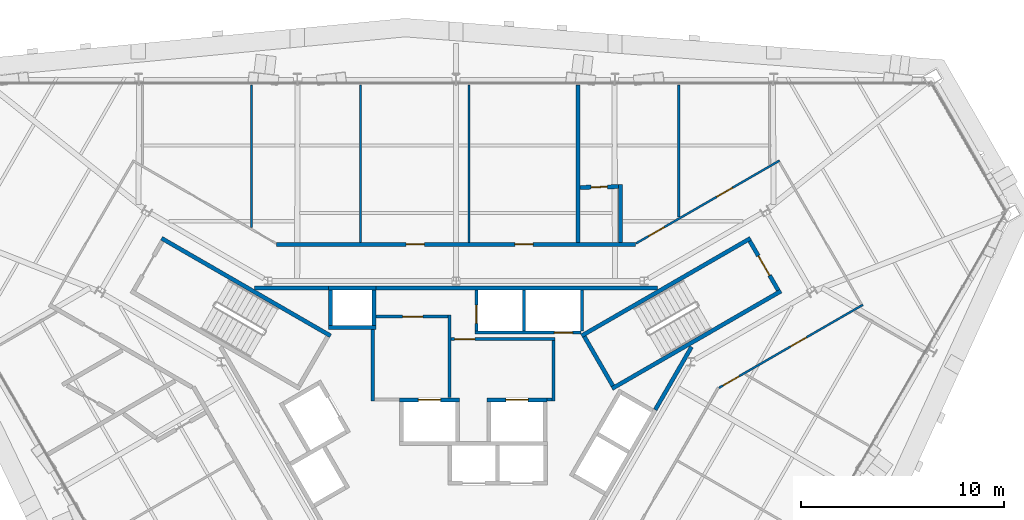
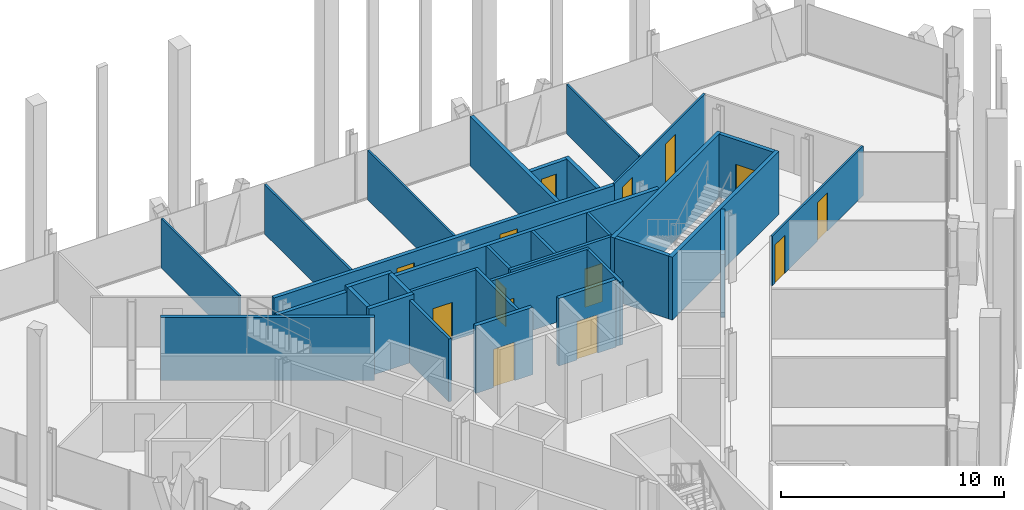
# One storey, part 14 of 17: 34 walls, 14 doors, 14 openings.
"""IFC4 building model written with IfcOpenShell, lengths in metres."""

import ifcopenshell
import ifcopenshell.guid

model = None  # the IFC model being written
_history = None  # IfcOwnerHistory: only IFC2X3 demands one
_inside = {}  # id of a spatial element -> (the spatial element, [elements in it])
_under = {}  # id of a project, library or spatial element -> (it, [spatial elements below it])
_declared = {}  # id of a project -> (the project, [libraries it declares])
_typed = {}  # id of a type object -> (the type object, [elements of that type])
_made_of = {}  # id of a material, layer set ... -> (it, [elements and type objects made of it])


def new_model(schema):
    """Start an empty IFC model of exactly this schema.

    Asked for "IFC4X3", IfcOpenShell would pick the latest addendum, in which some entities
    have other attributes; the version numbers below select the first issue.
    IFC2X3 requires an IfcOwnerHistory on every rooted entity: one is made here for all.
    """
    global model, _history
    if schema == "IFC4X3":
        model = ifcopenshell.file(schema_version=(4, 3, 0, 0))
    else:
        model = ifcopenshell.file(schema=schema)
    _inside.clear()
    _under.clear()
    _declared.clear()
    _typed.clear()
    _made_of.clear()
    _history = None
    if model.schema == "IFC2X3":
        org = make("IfcOrganization", Name="unknown")
        user = make(
            "IfcPersonAndOrganization",
            ThePerson=make("IfcPerson", FamilyName="unknown"),
            TheOrganization=org,
        )
        app = make(
            "IfcApplication",
            ApplicationDeveloper=org,
            Version="unknown",
            ApplicationFullName="unknown",
            ApplicationIdentifier="unknown",
        )
        _history = make(
            "IfcOwnerHistory",
            OwningUser=user,
            OwningApplication=app,
            ChangeAction="ADDED",
            CreationDate=0,
        )
    return model


def make(cls, **values):
    """One entity of the class cls with the attributes given. An attribute that is None is left unset."""
    return model.create_entity(
        cls, **{name: value for name, value in values.items() if value is not None}
    )


def rooted(cls, **values):
    """An entity with a GlobalId (a new one), such as an element, a storey or a relation."""
    return make(cls, GlobalId=ifcopenshell.guid.new(), OwnerHistory=_history, **values)


def si_unit(unit_type, name, prefix=None):
    """IfcSIUnit, for example si_unit("LENGTHUNIT", "METRE", prefix="MILLI")."""
    return make("IfcSIUnit", UnitType=unit_type, Prefix=prefix, Name=name)


def assignment(units):
    """IfcUnitAssignment: the units of a project."""
    return None if units is None else make("IfcUnitAssignment", Units=units)


def point(xyz):
    """IfcCartesianPoint."""
    return None if xyz is None else make("IfcCartesianPoint", Coordinates=xyz)


def direction(xyz):
    """IfcDirection."""
    return None if xyz is None else make("IfcDirection", DirectionRatios=xyz)


def frame(location, z_axis=None, x_axis=None):
    """IfcAxis2Placement3D, a coordinate frame: its origin and axes. An axis left out is left unset."""
    return make(
        "IfcAxis2Placement3D",
        Location=point(location),
        Axis=direction(z_axis),
        RefDirection=direction(x_axis),
    )


def frame_2d(location, x_axis=None):
    """IfcAxis2Placement2D, a coordinate frame in the plane: its origin and x axis."""
    return make(
        "IfcAxis2Placement2D", Location=point(location), RefDirection=direction(x_axis)
    )


def origin():
    """The frame at (0, 0, 0) with its axes left unset."""
    return frame((0.0, 0.0, 0.0))


def place(relative_to, where):
    """IfcLocalPlacement: puts the frame where relative to a parent placement (None: the world)."""
    return make(
        "IfcLocalPlacement", PlacementRelTo=relative_to, RelativePlacement=where
    )


def context(
    kind, dimensions, precision=None, world=None, true_north=None, identifier=None
):
    """IfcGeometricRepresentationContext, for example the 3D "Model" context."""
    return make(
        "IfcGeometricRepresentationContext",
        ContextIdentifier=identifier,
        ContextType=kind,
        CoordinateSpaceDimension=dimensions,
        Precision=precision,
        WorldCoordinateSystem=world,
        TrueNorth=true_north,
    )


def subcontext(parent, identifier, kind, view, scale=None):
    """IfcGeometricRepresentationSubContext, for example "Body" below "Model"."""
    return make(
        "IfcGeometricRepresentationSubContext",
        ContextIdentifier=identifier,
        ContextType=kind,
        ParentContext=parent,
        TargetScale=scale,
        TargetView=view,
    )


def project(units=None, contexts=None):
    """IfcProject with its units and contexts."""
    return rooted(
        "IfcProject",
        Name="project",
        RepresentationContexts=contexts,
        UnitsInContext=assignment(units),
    )


def spatial(cls, under=None, at=None, **own):
    """A site, building, storey or space (cls), placed at a placement, below another one or the project."""
    s = rooted(cls, ObjectPlacement=at, **own)
    if under is not None:
        _under.setdefault(under.id(), (under, []))[1].append(s)
    return s


def profile(cls, at=None, kind="AREA", **sizes):
    """A parametric profile (cls). Its sizes go by their IFC names, for example OverallWidth=200.0."""
    return make(cls, ProfileType=kind, Position=at, **sizes)


def rectangle(**sizes):
    """IfcRectangleProfileDef."""
    return profile("IfcRectangleProfileDef", **sizes)


def extrude(swept, where, along, depth):
    """IfcExtrudedAreaSolid: the profile swept, set in the frame where, extruded along a direction by depth."""
    return make(
        "IfcExtrudedAreaSolid",
        SweptArea=swept,
        Position=where,
        ExtrudedDirection=direction(along),
        Depth=depth,
    )


def shape(context_of_items, identifier, shape_type, items):
    """IfcShapeRepresentation: the items that make up one representation, for example the "Body"."""
    return make(
        "IfcShapeRepresentation",
        ContextOfItems=context_of_items,
        RepresentationIdentifier=identifier,
        RepresentationType=shape_type,
        Items=items,
    )


def material(Name=None, Category=None):
    """IfcMaterial."""
    return make("IfcMaterial", Name=Name, Category=Category)


def layer(
    of_material, thickness, ventilated=None, Name=None, Category=None, Priority=None
):
    """IfcMaterialLayer: one layer of a wall or slab, of a material (None: an air gap)."""
    return make(
        "IfcMaterialLayer",
        Material=of_material,
        LayerThickness=thickness,
        IsVentilated=ventilated,
        Name=Name,
        Category=Category,
        Priority=Priority,
    )


def layer_set(layers, Name=None):
    """IfcMaterialLayerSet."""
    return make("IfcMaterialLayerSet", MaterialLayers=layers, LayerSetName=Name)


def made_of(thing, what):
    """Note that an element or type object is made of a material, layer set ...; save() writes the relation."""
    if what is not None:
        _made_of.setdefault(what.id(), (what, []))[1].append(thing)
    return thing


def type_object(cls, material=None, **own):
    """A type object (cls), such as IfcWallType, which elements share."""
    return made_of(rooted(cls, **own), material)


def element(
    cls,
    number,
    at=None,
    inside=None,
    cuts=None,
    type_object=None,
    material=None,
    context=None,
    identifier="Body",
    shape_type=None,
    held_by="IfcProductDefinitionShape",
    body=None,
    shapes=None,
    **own,
):
    """One element of the class cls, such as IfcWall. Its Tag is "e" and its number.

    at: its placement. inside: the storey or other place that contains it. cuts: it is an
    opening in that element (IfcRelVoidsElement). A single representation is given by context,
    identifier, shape_type and body (its items); several are given by shapes. held_by: the class
    of the entity that holds the representations. save() writes the other relations.
    """
    e = rooted(cls, Tag="e%d" % number, ObjectPlacement=at, **own)
    if body is not None:
        shapes = [shape(context, identifier, shape_type, body)]
    if shapes is not None:
        e.Representation = make(held_by, Representations=shapes)
    if inside is not None:
        _inside.setdefault(inside.id(), (inside, []))[1].append(e)
    if cuts is not None:
        rooted(
            "IfcRelVoidsElement", RelatingBuildingElement=cuts, RelatedOpeningElement=e
        )
    if type_object is not None:
        _typed.setdefault(type_object.id(), (type_object, []))[1].append(e)
    return made_of(e, material)


def fill(opening, filler):
    """IfcRelFillsElement: the door or window that sits in an opening."""
    return rooted(
        "IfcRelFillsElement",
        RelatingOpeningElement=opening,
        RelatedBuildingElement=filler,
    )


def aggregate(whole, parts):
    """IfcRelAggregates: a whole, such as a stair, and the parts it consists of."""
    return rooted("IfcRelAggregates", RelatingObject=whole, RelatedObjects=parts)


def save(model, path):
    """Write the relations noted so far, then the file.

    IfcRelAggregates (storeys below a building ...), IfcRelContainedInSpatialStructure (elements
    in a storey), IfcRelDefinesByType, IfcRelAssociatesMaterial and IfcRelDeclares: one each for
    every whole, place, type object, material and project.
    """
    for whole, parts in _under.values():
        aggregate(whole, parts)
    for where, things in _inside.values():
        rooted(
            "IfcRelContainedInSpatialStructure",
            RelatedElements=things,
            RelatingStructure=where,
        )
    for kind, things in _typed.values():
        rooted("IfcRelDefinesByType", RelatedObjects=things, RelatingType=kind)
    for what, things in _made_of.values():
        rooted("IfcRelAssociatesMaterial", RelatedObjects=things, RelatingMaterial=what)
    for by, libraries in _declared.values():
        rooted("IfcRelDeclares", RelatingContext=by, RelatedDefinitions=libraries)
    model.write(path)


model = new_model("IFC4")

# Units and contexts
model_context = context("Model", 3, precision=1e-05, world=origin(), true_north=direction((0.0, 1.0)))
body_context = subcontext(model_context, "Body", "Model", "MODEL_VIEW")
ifc_project = project(units=[si_unit("LENGTHUNIT", "METRE"), si_unit("AREAUNIT", "SQUARE_METRE"), si_unit("VOLUMEUNIT", "CUBIC_METRE"), si_unit("PLANEANGLEUNIT", "RADIAN"), si_unit("MASSUNIT", "GRAM", prefix="KILO")], contexts=[model_context])

# Site, building, storey
site_placement = place(None, origin())
site = spatial("IfcSite", under=ifc_project, at=site_placement, CompositionType="ELEMENT")
building_placement = place(site_placement, origin())
building = spatial("IfcBuilding", under=site, at=building_placement, Name="Verrane Prism Tower", CompositionType="ELEMENT")
storey_placement = place(building_placement, frame((0.0, 0.0, 178.39990234375)))
storey = spatial("IfcBuildingStorey", under=building, at=storey_placement, Name="L44", CompositionType="ELEMENT", Elevation=178.39990234375)

# Walls
ifc_material_1 = material(Name="Gypsum board partition", Category="other")
ifc_layer_1 = layer(ifc_material_1, 0.199951171875)
ifc_layer_set_1 = layer_set([ifc_layer_1], Name="CW-200 core boundary wall 2 h")
wall_type_1 = type_object("IfcWallType", Name="CW-200 core boundary wall 2 h", PredefinedType="PARTITIONING", material=ifc_layer_set_1)
wall_1_placement = place(storey_placement, frame((-9.907958984375, 7.659912109375, 0.0), z_axis=(0.0, 0.0, 1.0), x_axis=(1.0, 0.0, 0.0)))
element("IfcWall", 1, at=wall_1_placement, inside=storey, type_object=wall_type_1, Name="Core boundary wall CW3-002", PredefinedType="PARTITIONING", context=body_context, shape_type="SweptSolid", body=[
    extrude(rectangle(XDim=3.620849609375, YDim=0.199951171875, at=frame_2d((1.810546875, 0.0))), origin(), (0.0, 0.0, 1.0), 3.4501953125),
])
wall_2_placement = place(storey_placement, frame((-3.93310546875, 7.659912109375, 0.0), z_axis=(0.0, 0.0, 1.0), x_axis=(1.0, 0.0, 0.0)))
element("IfcWall", 2, at=wall_2_placement, inside=storey, type_object=wall_type_1, Name="Core boundary wall CW3-005", PredefinedType="PARTITIONING", context=body_context, shape_type="SweptSolid", body=[
    extrude(rectangle(XDim=13.841064453125, YDim=0.199951171875, at=frame_2d((6.92041015625, 0.0))), origin(), (0.0, 0.0, 1.0), 3.4501953125),
])
wall_3_placement = place(storey_placement, frame((9.802978515625, 1.657958984375, 0.0), z_axis=(0.0, 0.0, 1.0), x_axis=(0.499943114462, 0.866058244174, 0.0)))
element("IfcWall", 3, at=wall_3_placement, inside=storey, type_object=wall_type_1, Name="Core boundary wall CW3-008", PredefinedType="PARTITIONING", context=body_context, shape_type="SweptSolid", body=[
    extrude(rectangle(XDim=3.57568359375, YDim=0.199951171875, at=frame_2d((1.787841796875, 0.0))), origin(), (0.0, 0.0, 1.0), 3.4501953125),
])

# Wall, opening, door
ifc_material_2 = material(Name="Concrete C40/50", Category="concrete")
ifc_layer_2 = layer(ifc_material_2, 0.199951171875)
ifc_layer_set_2 = layer_set([ifc_layer_2], Name="CW-200 stair core wall concrete C40/50 3 h")
wall_type_2 = type_object("IfcWallType", Name="CW-200 stair core wall concrete C40/50 3 h", PredefinedType="PARTITIONING", material=ifc_layer_set_2)
wall_4_placement = place(storey_placement, frame((15.85546875, 7.53759765625, 0.0), z_axis=(0.0, 0.0, 1.0), x_axis=(-0.500049511043, 0.865996816683, 0.0)))
wall_4 = element("IfcWall", 4, at=wall_4_placement, inside=storey, type_object=wall_type_2, Name="Stair 1 enclosure wall", PredefinedType="PARTITIONING", context=body_context, shape_type="SweptSolid", body=[
    extrude(rectangle(XDim=2.800048828125, YDim=0.199951171875, at=frame_2d((1.39990234375, 0.0))), origin(), (0.0, 0.0, 1.0), 3.4501953125),
])
opening_1_placement = place(wall_4_placement, frame((0.849853515625, 0.0, 0.0)))
opening_1 = element("IfcOpeningElement", 5, at=opening_1_placement, cuts=wall_4, Name="Opening D44500", PredefinedType="OPENING", context=body_context, shape_type="SweptSolid", body=[
    extrude(rectangle(XDim=1.10009765625, YDim=2.10009765625, at=frame_2d((0.550048828125, 1.050048828125))), frame((0.0, 0.10986328125, 0.0), z_axis=(0.0, -1.0, 0.0), x_axis=(1.0, 0.0, 0.0)), (0.0, 0.0, 1.0), 0.219970703125),
])
ifc_material_3 = material(Name="Timber veneered door leaf", Category="wood")
door_type_1 = type_object("IfcDoorType", Name="DR-1100x2100 FD90 single leaf stair", OperationType="NOTDEFINED", PredefinedType="DOOR", material=ifc_material_3)
door_1_placement = place(opening_1_placement, origin())
door_1 = element("IfcDoor", 6, at=door_1_placement, inside=storey, type_object=door_type_1, Name="Stair 1 door", OperationType="SINGLE_SWING_LEFT", OverallHeight=2.10009765625, OverallWidth=1.10009765625, PredefinedType="DOOR", context=body_context, shape_type="SweptSolid", body=[
    extrude(rectangle(XDim=1.10009765625, YDim=2.10009765625, at=frame_2d((0.550048828125, 1.050048828125))), frame((0.0, 0.02490234375, 0.0), z_axis=(0.0, -1.0, 0.0), x_axis=(1.0, 0.0, 0.0)), (0.0, 0.0, 1.0), 0.050048828125),
])
fill(opening_1, door_1)

# Walls
for number, where, z_axis, x_axis, name in (
    (7, (6.17822265625, 5.299072265625, 0.0), (0.0, 0.0, 1.0), (0.866019993635, 0.500009370536, 0.0), "Stair 1 enclosure wall"),
    (8, (7.67822265625, 2.700927734375, 0.0), (0.0, 0.0, 1.0), (0.866019993635, 0.500009370536, 0.0), "Stair 1 enclosure wall"),
):
    element("IfcWall", number, at=place(storey_placement, frame(where, z_axis=z_axis, x_axis=x_axis)), inside=storey, type_object=wall_type_2, Name=name, PredefinedType="PARTITIONING", context=body_context, shape_type="SweptSolid", body=[
        extrude(rectangle(XDim=9.599853515625, YDim=0.199951171875, at=frame_2d((4.7998046875, 0.0))), origin(), (0.0, 0.0, 1.0), 3.4501953125),
    ])
wall_5_placement = place(storey_placement, frame((7.71484375, 2.837646484375, 0.0), z_axis=(0.0, 0.0, 1.0), x_axis=(-0.500049511043, 0.865996816683, 0.0)))
element("IfcWall", 9, at=wall_5_placement, inside=storey, type_object=wall_type_2, Name="Stair 1 enclosure wall", PredefinedType="PARTITIONING", context=body_context, shape_type="SweptSolid", body=[
    extrude(rectangle(XDim=2.800048828125, YDim=0.199951171875, at=frame_2d((1.39990234375, 0.0))), origin(), (0.0, 0.0, 1.0), 3.4501953125),
])
wall_6_placement = place(storey_placement, frame((-6.17822265625, 5.299072265625, 0.0), z_axis=(0.0, 0.0, 1.0), x_axis=(-0.866019993635, 0.500009370536, 0.0)))
element("IfcWall", 10, at=wall_6_placement, inside=storey, type_object=wall_type_2, Name="Stair 2 enclosure wall", PredefinedType="PARTITIONING", context=body_context, shape_type="SweptSolid", body=[
    extrude(rectangle(XDim=9.599853515625, YDim=0.199951171875, at=frame_2d((4.7998046875, 0.0))), origin(), (0.0, 0.0, 1.0), 3.4501953125),
])

# Wall, opening, door
ifc_material_4 = material(Name="Gypsum board shaft wall assembly", Category="other")
ifc_layer_3 = layer(ifc_material_4, 0.199951171875)
ifc_layer_set_3 = layer_set([ifc_layer_3], Name="HW-200 lift shaft wall 2 h")
wall_type_3 = type_object("IfcWallType", Name="HW-200 lift shaft wall 2 h", PredefinedType="PARTITIONING", material=ifc_layer_set_3)
wall_7_placement = place(storey_placement, frame((-2.784912109375, 2.14990234375, 0.0), z_axis=(0.0, 0.0, 1.0), x_axis=(1.0, 0.0, 0.0)))
wall_7 = element("IfcWall", 11, at=wall_7_placement, inside=storey, type_object=wall_type_3, Name="Lift shaft wall", PredefinedType="PARTITIONING", context=body_context, shape_type="SweptSolid", body=[
    extrude(rectangle(XDim=2.949951171875, YDim=0.199951171875, at=frame_2d((1.47509765625, 0.0))), origin(), (0.0, 0.0, 1.0), 3.7001953125),
])
opening_2_placement = place(wall_7_placement, frame((0.925048828125, 0.0, 0.0)))
opening_2 = element("IfcOpeningElement", 12, at=opening_2_placement, cuts=wall_7, Name="Opening D44507", PredefinedType="OPENING", context=body_context, shape_type="SweptSolid", body=[
    extrude(rectangle(XDim=1.10009765625, YDim=2.10009765625, at=frame_2d((0.550048828125, 1.050048828125))), frame((0.0, 0.10986328125, 0.0), z_axis=(0.0, -1.0, 0.0), x_axis=(1.0, 0.0, 0.0)), (0.0, 0.0, 1.0), 0.219970703125),
])
ifc_material_5 = material(Name="Stainless steel sliding landing door", Category="steel")
door_type_2 = type_object("IfcDoorType", Name="LD-1100x2100 lift landing door FD90 sliding", OperationType="NOTDEFINED", PredefinedType="DOOR", material=ifc_material_5)
door_2_placement = place(opening_2_placement, origin())
door_2 = element("IfcDoor", 13, at=door_2_placement, inside=storey, type_object=door_type_2, Name="Fire service lift 1 landing door", OperationType="SLIDING_TO_LEFT", OverallHeight=2.10009765625, OverallWidth=1.10009765625, PredefinedType="DOOR", context=body_context, shape_type="SweptSolid", body=[
    extrude(rectangle(XDim=1.10009765625, YDim=2.10009765625, at=frame_2d((0.550048828125, 1.050048828125))), frame((0.0, 0.02490234375, 0.0), z_axis=(0.0, -1.0, 0.0), x_axis=(1.0, 0.0, 0.0)), (0.0, 0.0, 1.0), 0.050048828125),
])
fill(opening_2, door_2)

wall_8_placement = place(storey_placement, frame((1.52490234375, 2.14990234375, 0.0), z_axis=(0.0, 0.0, 1.0), x_axis=(1.0, 0.0, 0.0)))
wall_8 = element("IfcWall", 14, at=wall_8_placement, inside=storey, type_object=wall_type_3, Name="Lift shaft wall", PredefinedType="PARTITIONING", context=body_context, shape_type="SweptSolid", body=[
    extrude(rectangle(XDim=2.9501953125, YDim=0.199951171875, at=frame_2d((1.47509765625, 0.0))), origin(), (0.0, 0.0, 1.0), 3.7001953125),
])
opening_3_placement = place(wall_8_placement, frame((0.925048828125, 0.0, 0.0)))
opening_3 = element("IfcOpeningElement", 15, at=opening_3_placement, cuts=wall_8, Name="Opening D44508", PredefinedType="OPENING", context=body_context, shape_type="SweptSolid", body=[
    extrude(rectangle(XDim=1.10009765625, YDim=2.10009765625, at=frame_2d((0.550048828125, 1.050048828125))), frame((0.0, 0.10986328125, 0.0), z_axis=(0.0, -1.0, 0.0), x_axis=(1.0, 0.0, 0.0)), (0.0, 0.0, 1.0), 0.219970703125),
])
door_3_placement = place(opening_3_placement, origin())
door_3 = element("IfcDoor", 16, at=door_3_placement, inside=storey, type_object=door_type_2, Name="Fire service lift 2 landing door", OperationType="SLIDING_TO_RIGHT", OverallHeight=2.10009765625, OverallWidth=1.10009765625, PredefinedType="DOOR", context=body_context, shape_type="SweptSolid", body=[
    extrude(rectangle(XDim=1.10009765625, YDim=2.10009765625, at=frame_2d((0.550048828125, 1.050048828125))), frame((0.0, 0.02490234375, 0.0), z_axis=(0.0, -1.0, 0.0), x_axis=(1.0, 0.0, 0.0)), (0.0, 0.0, 1.0), 0.050048828125),
])
fill(opening_3, door_3)

# Walls
for number, where, z_axis, x_axis, name in (
    (17, (-6.284912109375, 5.7099609375, 0.0), (0.0, 0.0, 1.0), (1.0, 0.0, 0.0), "Lift shaft wall"),
    (18, (-6.284912109375, 7.659912109375, 0.0), (0.0, 0.0, 1.0), (1.0, 0.0, 0.0), "Lift shaft wall"),
):
    element("IfcWall", number, at=place(storey_placement, frame(where, z_axis=z_axis, x_axis=x_axis)), inside=storey, type_object=wall_type_3, Name=name, PredefinedType="PARTITIONING", context=body_context, shape_type="SweptSolid", body=[
        extrude(rectangle(XDim=2.349853515625, YDim=0.199951171875, at=frame_2d((1.1748046875, 0.0))), origin(), (0.0, 0.0, 1.0), 3.7001953125),
    ])
for number, where, z_axis, x_axis, name in (
    (19, (-4.034912109375, 5.81005859375, 0.0), (0.0, 0.0, 1.0), (0.0, 1.0, 0.0), "Lift shaft wall"),
    (20, (-6.18505859375, 5.81005859375, 0.0), (0.0, 0.0, 1.0), (0.0, 1.0, 0.0), "Lift shaft wall"),
):
    element("IfcWall", number, at=place(storey_placement, frame(where, z_axis=z_axis, x_axis=x_axis)), inside=storey, type_object=wall_type_3, Name=name, PredefinedType="PARTITIONING", context=body_context, shape_type="SweptSolid", body=[
        extrude(rectangle(XDim=1.75, YDim=0.199951171875, at=frame_2d((0.875, 0.0))), origin(), (0.0, 0.0, 1.0), 3.7001953125),
    ])
ifc_material_6 = material(Name="Gypsum board partition", Category="other")
ifc_layer_4 = layer(ifc_material_6, 0.14990234375)
ifc_layer_set_4 = layer_set([ifc_layer_4], Name="LF-150 firefighting lobby wall 1 h")
wall_type_4 = type_object("IfcWallType", Name="LF-150 firefighting lobby wall 1 h", PredefinedType="PARTITIONING", material=ifc_layer_set_4)
wall_9_placement = place(storey_placement, frame((-4.10009765625, 2.0849609375, 0.0), z_axis=(0.0, 0.0, 1.0), x_axis=(0.0, 1.0, 0.0)))
element("IfcWall", 21, at=wall_9_placement, inside=storey, type_object=wall_type_4, Name="Firefighting lobby wall LF1-001", PredefinedType="PARTITIONING", context=body_context, shape_type="SweptSolid", body=[
    extrude(rectangle(XDim=3.52294921875, YDim=0.14990234375, at=frame_2d((1.761474609375, 0.0))), origin(), (0.0, 0.0, 1.0), 3.4501953125),
])

# Wall, opening, door
wall_10_placement = place(storey_placement, frame((-3.93310546875, 6.239990234375, 0.0), z_axis=(0.0, 0.0, 1.0), x_axis=(1.0, 0.0, 0.0)))
wall_10 = element("IfcWall", 22, at=wall_10_placement, inside=storey, type_object=wall_type_4, Name="Firefighting lobby wall LF1-003", PredefinedType="PARTITIONING", context=body_context, shape_type="SweptSolid", body=[
    extrude(rectangle(XDim=3.5380859375, YDim=0.14990234375, at=frame_2d((1.76904296875, 0.0))), origin(), (0.0, 0.0, 1.0), 3.4501953125),
])
opening_4_placement = place(wall_10_placement, frame((1.300048828125, 0.0, 0.0)))
opening_4 = element("IfcOpeningElement", 23, at=opening_4_placement, cuts=wall_10, Name="Opening D44511", PredefinedType="OPENING", context=body_context, shape_type="SweptSolid", body=[
    extrude(rectangle(XDim=1.0, YDim=2.10009765625, at=frame_2d((0.5, 1.050048828125))), frame((0.0, 0.0849609375, 0.0), z_axis=(0.0, -1.0, 0.0), x_axis=(1.0, 0.0, 0.0)), (0.0, 0.0, 1.0), 0.169921875),
])
ifc_material_7 = material(Name="Timber veneered door leaf", Category="wood")
door_type_3 = type_object("IfcDoorType", Name="DR-1000x2100 FD60 single leaf firefighting lobby", OperationType="NOTDEFINED", PredefinedType="DOOR", material=ifc_material_7)
door_4_placement = place(opening_4_placement, origin())
door_4 = element("IfcDoor", 24, at=door_4_placement, inside=storey, type_object=door_type_3, Name="Firefighting lobby door D44511", OperationType="SINGLE_SWING_LEFT", OverallHeight=2.10009765625, OverallWidth=1.0, PredefinedType="DOOR", context=body_context, shape_type="SweptSolid", body=[
    extrude(rectangle(XDim=1.0, YDim=2.10009765625, at=frame_2d((0.5, 1.050048828125))), frame((0.0, 0.02490234375, 0.0), z_axis=(0.0, -1.0, 0.0), x_axis=(1.0, 0.0, 0.0)), (0.0, 0.0, 1.0), 0.050048828125),
])
fill(opening_4, door_4)

# Wall
wall_11_placement = place(storey_placement, frame((-0.320068359375, 2.251953125, 0.0), z_axis=(0.0, 0.0, 1.0), x_axis=(0.0, 1.0, 0.0)))
element("IfcWall", 25, at=wall_11_placement, inside=storey, type_object=wall_type_4, Name="Firefighting lobby wall LF1-004", PredefinedType="PARTITIONING", context=body_context, shape_type="SweptSolid", body=[
    extrude(rectangle(XDim=4.06298828125, YDim=0.14990234375, at=frame_2d((2.031494140625, 0.0))), origin(), (0.0, 0.0, 1.0), 3.4501953125),
])

# Wall, opening, door
wall_12_placement = place(storey_placement, frame((-0.2451171875, 5.139892578125, 0.0), z_axis=(0.0, 0.0, 1.0), x_axis=(1.0, 0.0, 0.0)))
wall_12 = element("IfcWall", 26, at=wall_12_placement, inside=storey, type_object=wall_type_4, Name="Firefighting lobby wall LF1-005", PredefinedType="PARTITIONING", context=body_context, shape_type="SweptSolid", body=[
    extrude(rectangle(XDim=5.110107421875, YDim=0.14990234375, at=frame_2d((2.55517578125, 0.0))), origin(), (0.0, 0.0, 1.0), 3.4501953125),
])
opening_5_placement = place(wall_12_placement, frame((0.175048828125, 0.0, 0.0)))
opening_5 = element("IfcOpeningElement", 27, at=opening_5_placement, cuts=wall_12, Name="Opening D44512", PredefinedType="OPENING", context=body_context, shape_type="SweptSolid", body=[
    extrude(rectangle(XDim=1.0, YDim=2.10009765625, at=frame_2d((0.5, 1.050048828125))), frame((0.0, 0.0849609375, 0.0), z_axis=(0.0, -1.0, 0.0), x_axis=(1.0, 0.0, 0.0)), (0.0, 0.0, 1.0), 0.169921875),
])
door_5_placement = place(opening_5_placement, origin())
door_5 = element("IfcDoor", 28, at=door_5_placement, inside=storey, type_object=door_type_3, Name="Firefighting lobby door D44512", OperationType="SINGLE_SWING_LEFT", OverallHeight=2.10009765625, OverallWidth=1.0, PredefinedType="DOOR", context=body_context, shape_type="SweptSolid", body=[
    extrude(rectangle(XDim=1.0, YDim=2.10009765625, at=frame_2d((0.5, 1.050048828125))), frame((0.0, 0.02490234375, 0.0), z_axis=(0.0, -1.0, 0.0), x_axis=(1.0, 0.0, 0.0)), (0.0, 0.0, 1.0), 0.050048828125),
])
fill(opening_5, door_5)

# Walls
wall_13_placement = place(storey_placement, frame((4.47705078125, 2.159912109375, 0.0), z_axis=(0.0, 0.0, 1.0), x_axis=(1.0, 0.0, 0.0)))
element("IfcWall", 29, at=wall_13_placement, inside=storey, type_object=wall_type_4, Name="Firefighting lobby wall LF1-006", PredefinedType="PARTITIONING", context=body_context, shape_type="SweptSolid", body=[
    extrude(rectangle(XDim=0.238037109375, YDim=0.14990234375, at=frame_2d((0.119140625, 0.0))), origin(), (0.0, 0.0, 1.0), 3.4501953125),
])
wall_14_placement = place(storey_placement, frame((4.7900390625, 2.0849609375, 0.0), z_axis=(0.0, 0.0, 1.0), x_axis=(0.0, 1.0, 0.0)))
element("IfcWall", 30, at=wall_14_placement, inside=storey, type_object=wall_type_4, Name="Firefighting lobby wall LF1-007", PredefinedType="PARTITIONING", context=body_context, shape_type="SweptSolid", body=[
    extrude(rectangle(XDim=2.97998046875, YDim=0.14990234375, at=frame_2d((1.489990234375, 0.0))), origin(), (0.0, 0.0, 1.0), 3.4501953125),
])
ifc_material_8 = material(Name="Gypsum board partition", Category="other")
ifc_layer_5 = layer(ifc_material_8, 0.10009765625)
ifc_layer_set_5 = layer_set([ifc_layer_5], Name="PW-100 room partition")
wall_type_5 = type_object("IfcWallType", Name="PW-100 room partition", PredefinedType="PARTITIONING", material=ifc_layer_set_5)
wall_15_placement = place(storey_placement, frame((-10.06591796875, 10.630615234375, 0.0), z_axis=(0.0, 0.0, 1.0), x_axis=(0.0, 1.0, 0.0)))
element("IfcWall", 31, at=wall_15_placement, inside=storey, type_object=wall_type_5, Name="Room partition 016", PredefinedType="PARTITIONING", context=body_context, shape_type="SweptSolid", body=[
    extrude(rectangle(XDim=7.00439453125, YDim=0.10009765625, at=frame_2d((3.502197265625, 0.0))), origin(), (0.0, 0.0, 1.0), 2.713134765625),
])
for number, where, z_axis, x_axis, name in (
    (32, (-4.7109375, 9.89990234375, 0.0), (0.0, 0.0, 1.0), (0.0, 1.0, 0.0), "Room partition 019"),
    (33, (0.64501953125, 9.89990234375, 0.0), (0.0, 0.0, 1.0), (0.0, 1.0, 0.0), "Room partition 022"),
):
    element("IfcWall", number, at=place(storey_placement, frame(where, z_axis=z_axis, x_axis=x_axis)), inside=storey, type_object=wall_type_5, Name=name, PredefinedType="PARTITIONING", context=body_context, shape_type="SweptSolid", body=[
        extrude(rectangle(XDim=7.735107421875, YDim=0.10009765625, at=frame_2d((3.86767578125, 0.0))), origin(), (0.0, 0.0, 1.0), 2.713134765625),
    ])

# Wall, openings, doors
wall_16_placement = place(storey_placement, frame((8.8515625, 9.842529296875, 0.0), z_axis=(0.0, 0.0, 1.0), x_axis=(0.866088973199, 0.499889878377, 0.0)))
wall_16 = element("IfcWall", 34, at=wall_16_placement, inside=storey, type_object=wall_type_5, Name="Room partition 034", PredefinedType="PARTITIONING", context=body_context, shape_type="SweptSolid", body=[
    extrude(rectangle(XDim=8.162841796875, YDim=0.10009765625, at=frame_2d((4.08154296875, 0.0))), origin(), (0.0, 0.0, 1.0), 2.713134765625),
])
opening_6_placement = place(wall_16_placement, frame((4.5830078125, 0.0, 0.0)))
opening_6 = element("IfcOpeningElement", 35, at=opening_6_placement, cuts=wall_16, Name="Opening D44009", PredefinedType="OPENING", context=body_context, shape_type="SweptSolid", body=[
    extrude(rectangle(XDim=0.89990234375, YDim=2.10009765625, at=frame_2d((0.449951171875, 1.050048828125))), frame((0.0, 0.06005859375, 0.0), z_axis=(0.0, -1.0, 0.0), x_axis=(1.0, 0.0, 0.0)), (0.0, 0.0, 1.0), 0.1201171875),
])
opening_7_placement = place(wall_16_placement, frame((0.715087890625, 0.0, 0.0)))
opening_7 = element("IfcOpeningElement", 36, at=opening_7_placement, cuts=wall_16, Name="Opening D44010", PredefinedType="OPENING", context=body_context, shape_type="SweptSolid", body=[
    extrude(rectangle(XDim=0.89990234375, YDim=2.10009765625, at=frame_2d((0.449951171875, 1.050048828125))), frame((0.0, 0.06005859375, 0.0), z_axis=(0.0, -1.0, 0.0), x_axis=(1.0, 0.0, 0.0)), (0.0, 0.0, 1.0), 0.1201171875),
])
ifc_material_9 = material(Name="Timber veneered door leaf", Category="wood")
door_type_4 = type_object("IfcDoorType", Name="DR-900x2100 single leaf inner", OperationType="NOTDEFINED", PredefinedType="DOOR", material=ifc_material_9)
door_6_placement = place(opening_7_placement, origin())
door_6 = element("IfcDoor", 37, at=door_6_placement, inside=storey, type_object=door_type_4, Name="Bedroom door", OperationType="SINGLE_SWING_RIGHT", OverallHeight=2.10009765625, OverallWidth=0.89990234375, PredefinedType="DOOR", context=body_context, shape_type="SweptSolid", body=[
    extrude(rectangle(XDim=0.89990234375, YDim=2.10009765625, at=frame_2d((0.449951171875, 1.050048828125))), frame((0.0, 0.02490234375, 0.0), z_axis=(0.0, -1.0, 0.0), x_axis=(1.0, 0.0, 0.0)), (0.0, 0.0, 1.0), 0.050048828125),
])
fill(opening_7, door_6)
ifc_material_10 = material(Name="Timber veneered door leaf", Category="wood")
door_type_5 = type_object("IfcDoorType", Name="DR-900x2100 single leaf unit", OperationType="NOTDEFINED", PredefinedType="DOOR", material=ifc_material_10)
door_7_placement = place(opening_6_placement, origin())
door_7 = element("IfcDoor", 38, at=door_7_placement, inside=storey, type_object=door_type_5, Name="Kitchen door", OperationType="SINGLE_SWING_LEFT", OverallHeight=2.10009765625, OverallWidth=0.89990234375, PredefinedType="DOOR", context=body_context, shape_type="SweptSolid", body=[
    extrude(rectangle(XDim=0.89990234375, YDim=2.10009765625, at=frame_2d((0.449951171875, 1.050048828125))), frame((0.0, 0.02490234375, 0.0), z_axis=(0.0, -1.0, 0.0), x_axis=(1.0, 0.0, 0.0)), (0.0, 0.0, 1.0), 0.050048828125),
])
fill(opening_6, door_7)

# Wall
wall_17_placement = place(storey_placement, frame((10.958984375, 11.1455078125, 0.0), z_axis=(0.0, 0.0, 1.0), x_axis=(0.0, 1.0, 0.0)))
element("IfcWall", 39, at=wall_17_placement, inside=storey, type_object=wall_type_5, Name="Room partition 036", PredefinedType="PARTITIONING", context=body_context, shape_type="SweptSolid", body=[
    extrude(rectangle(XDim=6.489501953125, YDim=0.10009765625, at=frame_2d((3.24462890625, 0.0))), origin(), (0.0, 0.0, 1.0), 2.713134765625),
])

# Wall, openings, doors
wall_18_placement = place(storey_placement, frame((20.023193359375, 6.825927734375, 0.0), z_axis=(0.0, 0.0, 1.0), x_axis=(-0.866097124975, -0.499875754673, 0.0)))
wall_18 = element("IfcWall", 40, at=wall_18_placement, inside=storey, type_object=wall_type_5, Name="Room partition 037", PredefinedType="PARTITIONING", context=body_context, shape_type="SweptSolid", body=[
    extrude(rectangle(XDim=8.1796875, YDim=0.10009765625, at=frame_2d((4.08984375, 0.0))), origin(), (0.0, 0.0, 1.0), 2.713134765625),
])
opening_8_placement = place(wall_18_placement, frame((7.050048828125, 0.0, 0.0)))
opening_8 = element("IfcOpeningElement", 41, at=opening_8_placement, cuts=wall_18, Name="Opening D44006", PredefinedType="OPENING", context=body_context, shape_type="SweptSolid", body=[
    extrude(rectangle(XDim=0.89990234375, YDim=2.10009765625, at=frame_2d((0.449951171875, 1.050048828125))), frame((0.0, 0.06005859375, 0.0), z_axis=(0.0, -1.0, 0.0), x_axis=(1.0, 0.0, 0.0)), (0.0, 0.0, 1.0), 0.1201171875),
])
opening_9_placement = place(wall_18_placement, frame((3.214111328125, 0.0, 0.0)))
opening_9 = element("IfcOpeningElement", 42, at=opening_9_placement, cuts=wall_18, Name="Opening D44007", PredefinedType="OPENING", context=body_context, shape_type="SweptSolid", body=[
    extrude(rectangle(XDim=0.89990234375, YDim=2.10009765625, at=frame_2d((0.449951171875, 1.050048828125))), frame((0.0, 0.06005859375, 0.0), z_axis=(0.0, -1.0, 0.0), x_axis=(1.0, 0.0, 0.0)), (0.0, 0.0, 1.0), 0.1201171875),
])
door_8_placement = place(opening_8_placement, origin())
door_8 = element("IfcDoor", 43, at=door_8_placement, inside=storey, type_object=door_type_5, Name="Study door", OperationType="SINGLE_SWING_LEFT", OverallHeight=2.10009765625, OverallWidth=0.89990234375, PredefinedType="DOOR", context=body_context, shape_type="SweptSolid", body=[
    extrude(rectangle(XDim=0.89990234375, YDim=2.10009765625, at=frame_2d((0.449951171875, 1.050048828125))), frame((0.0, 0.02490234375, 0.0), z_axis=(0.0, -1.0, 0.0), x_axis=(1.0, 0.0, 0.0)), (0.0, 0.0, 1.0), 0.050048828125),
])
fill(opening_8, door_8)
door_9_placement = place(opening_9_placement, origin())
door_9 = element("IfcDoor", 44, at=door_9_placement, inside=storey, type_object=door_type_5, Name="Study door", OperationType="SINGLE_SWING_RIGHT", OverallHeight=2.10009765625, OverallWidth=0.89990234375, PredefinedType="DOOR", context=body_context, shape_type="SweptSolid", body=[
    extrude(rectangle(XDim=0.89990234375, YDim=2.10009765625, at=frame_2d((0.449951171875, 1.050048828125))), frame((0.0, 0.02490234375, 0.0), z_axis=(0.0, -1.0, 0.0), x_axis=(1.0, 0.0, 0.0)), (0.0, 0.0, 1.0), 0.050048828125),
])
fill(opening_9, door_9)

ifc_material_11 = material(Name="Gypsum board partition", Category="other")
ifc_layer_6 = layer(ifc_material_11, 0.199951171875)
ifc_layer_set_6 = layer_set([ifc_layer_6], Name="PW-200 plumbing wall")
wall_type_6 = type_object("IfcWallType", Name="PW-200 plumbing wall", PredefinedType="PARTITIONING", material=ifc_layer_set_6)
wall_19_placement = place(storey_placement, frame((-8.827880859375, 9.800048828125, 0.0), z_axis=(0.0, 0.0, 1.0), x_axis=(1.0, 0.0, 0.0)))
wall_19 = element("IfcWall", 45, at=wall_19_placement, inside=storey, type_object=wall_type_6, Name="Plumbing wall 017", PredefinedType="PARTITIONING", context=body_context, shape_type="SweptSolid", body=[
    extrude(rectangle(XDim=17.65576171875, YDim=0.199951171875, at=frame_2d((8.827880859375, 0.0))), origin(), (0.0, 0.0, 1.0), 2.713134765625),
])
opening_10_placement = place(wall_19_placement, frame((11.722900390625, 0.0, 0.0)))
opening_10 = element("IfcOpeningElement", 46, at=opening_10_placement, cuts=wall_19, Name="Opening D44012", PredefinedType="OPENING", context=body_context, shape_type="SweptSolid", body=[
    extrude(rectangle(XDim=0.89990234375, YDim=2.10009765625, at=frame_2d((0.449951171875, 1.050048828125))), frame((0.0, 0.10986328125, 0.0), z_axis=(0.0, -1.0, 0.0), x_axis=(1.0, 0.0, 0.0)), (0.0, 0.0, 1.0), 0.219970703125),
])
opening_11_placement = place(wall_19_placement, frame((6.366943359375, 0.0, 0.0)))
opening_11 = element("IfcOpeningElement", 47, at=opening_11_placement, cuts=wall_19, Name="Opening D44013", PredefinedType="OPENING", context=body_context, shape_type="SweptSolid", body=[
    extrude(rectangle(XDim=0.89990234375, YDim=2.10009765625, at=frame_2d((0.449951171875, 1.050048828125))), frame((0.0, 0.10986328125, 0.0), z_axis=(0.0, -1.0, 0.0), x_axis=(1.0, 0.0, 0.0)), (0.0, 0.0, 1.0), 0.219970703125),
])
door_10_placement = place(opening_10_placement, origin())
door_10 = element("IfcDoor", 48, at=door_10_placement, inside=storey, type_object=door_type_5, Name="Study door", OperationType="SINGLE_SWING_RIGHT", OverallHeight=2.10009765625, OverallWidth=0.89990234375, PredefinedType="DOOR", context=body_context, shape_type="SweptSolid", body=[
    extrude(rectangle(XDim=0.89990234375, YDim=2.10009765625, at=frame_2d((0.449951171875, 1.050048828125))), frame((0.0, 0.02490234375, 0.0), z_axis=(0.0, -1.0, 0.0), x_axis=(1.0, 0.0, 0.0)), (0.0, 0.0, 1.0), 0.050048828125),
])
fill(opening_10, door_10)
door_11_placement = place(opening_11_placement, origin())
door_11 = element("IfcDoor", 49, at=door_11_placement, inside=storey, type_object=door_type_5, Name="Study door", OperationType="SINGLE_SWING_LEFT", OverallHeight=2.10009765625, OverallWidth=0.89990234375, PredefinedType="DOOR", context=body_context, shape_type="SweptSolid", body=[
    extrude(rectangle(XDim=0.89990234375, YDim=2.10009765625, at=frame_2d((0.449951171875, 1.050048828125))), frame((0.0, 0.02490234375, 0.0), z_axis=(0.0, -1.0, 0.0), x_axis=(1.0, 0.0, 0.0)), (0.0, 0.0, 1.0), 0.050048828125),
])
fill(opening_11, door_11)

# Wall
wall_20_placement = place(storey_placement, frame((6.0, 9.89990234375, 0.0), z_axis=(0.0, 0.0, 1.0), x_axis=(0.0, 1.0, 0.0)))
element("IfcWall", 50, at=wall_20_placement, inside=storey, type_object=wall_type_6, Name="Plumbing wall 029", PredefinedType="PARTITIONING", context=body_context, shape_type="SweptSolid", body=[
    extrude(rectangle(XDim=7.735107421875, YDim=0.199951171875, at=frame_2d((3.86767578125, 0.0))), origin(), (0.0, 0.0, 1.0), 2.713134765625),
])

# Wall, opening, door
wall_21_placement = place(storey_placement, frame((7.9951171875, 12.639892578125, 0.0), z_axis=(0.0, 0.0, 1.0), x_axis=(-0.999800266148, -0.019985690128, 0.0)))
wall_21 = element("IfcWall", 51, at=wall_21_placement, inside=storey, type_object=wall_type_6, Name="Plumbing wall 030", PredefinedType="PARTITIONING", context=body_context, shape_type="SweptSolid", body=[
    extrude(rectangle(XDim=1.8935546875, YDim=0.199951171875, at=frame_2d((0.94677734375, 0.0))), origin(), (0.0, 0.0, 1.0), 2.713134765625),
])
opening_12_placement = place(wall_21_placement, frame((0.54541015625, 0.0, 0.0)))
opening_12 = element("IfcOpeningElement", 52, at=opening_12_placement, cuts=wall_21, Name="Opening D44011", PredefinedType="OPENING", context=body_context, shape_type="SweptSolid", body=[
    extrude(rectangle(XDim=0.800048828125, YDim=2.10009765625, at=frame_2d((0.39990234375, 1.050048828125))), frame((0.0, 0.10986328125, 0.0), z_axis=(0.0, -1.0, 0.0), x_axis=(1.0, 0.0, 0.0)), (0.0, 0.0, 1.0), 0.219970703125),
])
ifc_material_12 = material(Name="Timber veneered door leaf", Category="wood")
door_type_6 = type_object("IfcDoorType", Name="DR-800x2100 single leaf bath", OperationType="NOTDEFINED", PredefinedType="DOOR", material=ifc_material_12)
door_12_placement = place(opening_12_placement, origin())
door_12 = element("IfcDoor", 53, at=door_12_placement, inside=storey, type_object=door_type_6, Name="Bathroom door", OperationType="SINGLE_SWING_RIGHT", OverallHeight=2.10009765625, OverallWidth=0.800048828125, PredefinedType="DOOR", context=body_context, shape_type="SweptSolid", body=[
    extrude(rectangle(XDim=0.800048828125, YDim=2.10009765625, at=frame_2d((0.39990234375, 1.050048828125))), frame((0.0, 0.02490234375, 0.0), z_axis=(0.0, -1.0, 0.0), x_axis=(1.0, 0.0, 0.0)), (0.0, 0.0, 1.0), 0.050048828125),
])
fill(opening_12, door_12)

# Wall
wall_22_placement = place(storey_placement, frame((8.10009765625, 9.89990234375, 0.0), z_axis=(0.0, 0.0, 1.0), x_axis=(0.0, 1.0, 0.0)))
element("IfcWall", 54, at=wall_22_placement, inside=storey, type_object=wall_type_6, Name="Plumbing wall 032", PredefinedType="PARTITIONING", context=body_context, shape_type="SweptSolid", body=[
    extrude(rectangle(XDim=2.842041015625, YDim=0.199951171875, at=frame_2d((1.4208984375, 0.0))), origin(), (0.0, 0.0, 1.0), 2.713134765625),
])

# Wall, opening, door
ifc_material_13 = material(Name="Gypsum board partition", Category="other")
ifc_layer_7 = layer(ifc_material_13, 0.14990234375)
ifc_layer_set_7 = layer_set([ifc_layer_7], Name="RS-150 riser enclosure wall 1 h")
wall_type_7 = type_object("IfcWallType", Name="RS-150 riser enclosure wall 1 h", PredefinedType="PARTITIONING", material=ifc_layer_set_7)
wall_23_placement = place(storey_placement, frame((1.0, 7.56005859375, 0.0), z_axis=(0.0, 0.0, 1.0), x_axis=(0.0, -1.0, 0.0)))
wall_23 = element("IfcWall", 55, at=wall_23_placement, inside=storey, type_object=wall_type_7, Name="Riser wall RS3-001", PredefinedType="PARTITIONING", context=body_context, shape_type="SweptSolid", body=[
    extrude(rectangle(XDim=2.025146484375, YDim=0.14990234375, at=frame_2d((1.0126953125, 0.0))), origin(), (0.0, 0.0, 1.0), 3.4501953125),
])
opening_13_placement = place(wall_23_placement, frame((0.75, 0.0, 0.0)))
opening_13 = element("IfcOpeningElement", 56, at=opening_13_placement, cuts=wall_23, Name="Opening D44513", PredefinedType="OPENING", context=body_context, shape_type="SweptSolid", body=[
    extrude(rectangle(XDim=0.89990234375, YDim=2.10009765625, at=frame_2d((0.449951171875, 1.050048828125))), frame((0.0, 0.0849609375, 0.0), z_axis=(0.0, -1.0, 0.0), x_axis=(1.0, 0.0, 0.0)), (0.0, 0.0, 1.0), 0.169921875),
])
ifc_material_14 = material(Name="Timber veneered door leaf", Category="wood")
door_type_7 = type_object("IfcDoorType", Name="DR-900x2100 FD60 single leaf riser", OperationType="NOTDEFINED", PredefinedType="DOOR", material=ifc_material_14)
door_13_placement = place(opening_13_placement, origin())
door_13 = element("IfcDoor", 57, at=door_13_placement, inside=storey, type_object=door_type_7, Name="Riser door D44513", OperationType="SINGLE_SWING_RIGHT", OverallHeight=2.10009765625, OverallWidth=0.89990234375, PredefinedType="DOOR", context=body_context, shape_type="SweptSolid", body=[
    extrude(rectangle(XDim=0.89990234375, YDim=2.10009765625, at=frame_2d((0.449951171875, 1.050048828125))), frame((0.0, 0.02490234375, 0.0), z_axis=(0.0, -1.0, 0.0), x_axis=(1.0, 0.0, 0.0)), (0.0, 0.0, 1.0), 0.050048828125),
])
fill(opening_13, door_13)

wall_24_placement = place(storey_placement, frame((0.925048828125, 5.4599609375, 0.0), z_axis=(0.0, 0.0, 1.0), x_axis=(1.0, 0.0, 0.0)))
wall_24 = element("IfcWall", 58, at=wall_24_placement, inside=storey, type_object=wall_type_7, Name="Riser wall RS3-002", PredefinedType="PARTITIONING", context=body_context, shape_type="SweptSolid", body=[
    extrude(rectangle(XDim=5.219970703125, YDim=0.14990234375, at=frame_2d((2.60986328125, 0.0))), origin(), (0.0, 0.0, 1.0), 3.4501953125),
])
opening_14_placement = place(wall_24_placement, frame((3.9150390625, 0.0, 0.0)))
opening_14 = element("IfcOpeningElement", 59, at=opening_14_placement, cuts=wall_24, Name="Opening D44514", PredefinedType="OPENING", context=body_context, shape_type="SweptSolid", body=[
    extrude(rectangle(XDim=0.89990234375, YDim=2.10009765625, at=frame_2d((0.449951171875, 1.050048828125))), frame((0.0, 0.0849609375, 0.0), z_axis=(0.0, -1.0, 0.0), x_axis=(1.0, 0.0, 0.0)), (0.0, 0.0, 1.0), 0.169921875),
])
door_14_placement = place(opening_14_placement, origin())
door_14 = element("IfcDoor", 60, at=door_14_placement, inside=storey, type_object=door_type_7, Name="Riser door D44514", OperationType="SINGLE_SWING_RIGHT", OverallHeight=2.10009765625, OverallWidth=0.89990234375, PredefinedType="DOOR", context=body_context, shape_type="SweptSolid", body=[
    extrude(rectangle(XDim=0.89990234375, YDim=2.10009765625, at=frame_2d((0.449951171875, 1.050048828125))), frame((0.0, 0.02490234375, 0.0), z_axis=(0.0, -1.0, 0.0), x_axis=(1.0, 0.0, 0.0)), (0.0, 0.0, 1.0), 0.050048828125),
])
fill(opening_14, door_14)

# Walls
for number, where, z_axis, x_axis, name in (
    (61, (3.340087890625, 5.534912109375, 0.0), (0.0, 0.0, 1.0), (0.0, 1.0, 0.0), "Riser wall RS3-003"),
    (62, (6.199951171875, 5.534912109375, 0.0), (0.0, 0.0, 1.0), (0.0, 1.0, 0.0), "Riser wall RS3-004"),
):
    element("IfcWall", number, at=place(storey_placement, frame(where, z_axis=z_axis, x_axis=x_axis)), inside=storey, type_object=wall_type_7, Name=name, PredefinedType="PARTITIONING", context=body_context, shape_type="SweptSolid", body=[
        extrude(rectangle(XDim=2.025146484375, YDim=0.14990234375, at=frame_2d((1.0126953125, 0.0))), origin(), (0.0, 0.0, 1.0), 3.4501953125),
    ])

save(model, "model.ifc")
